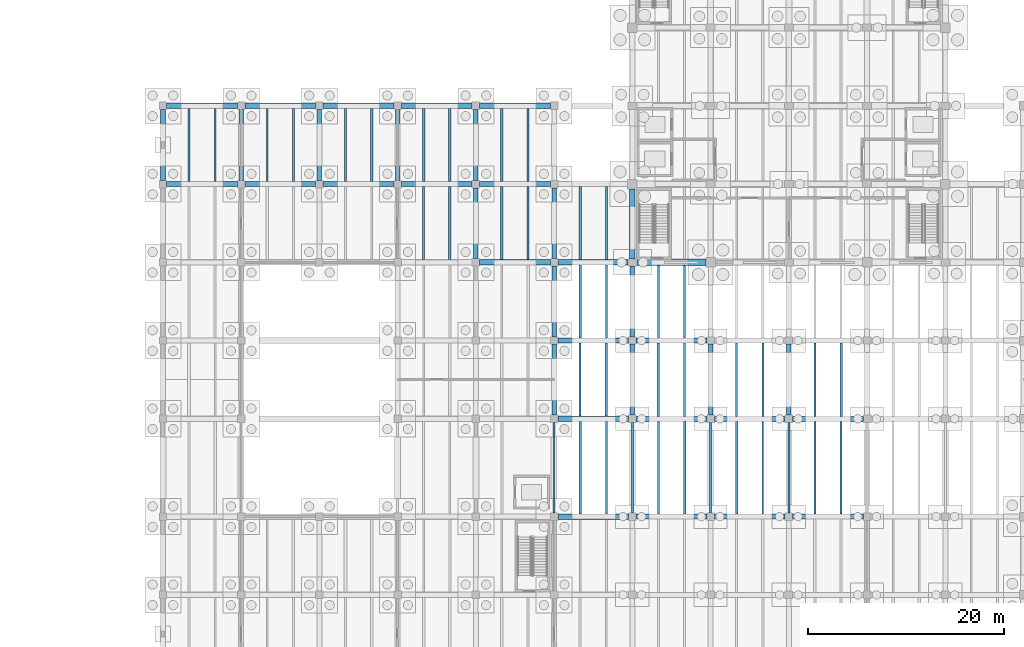
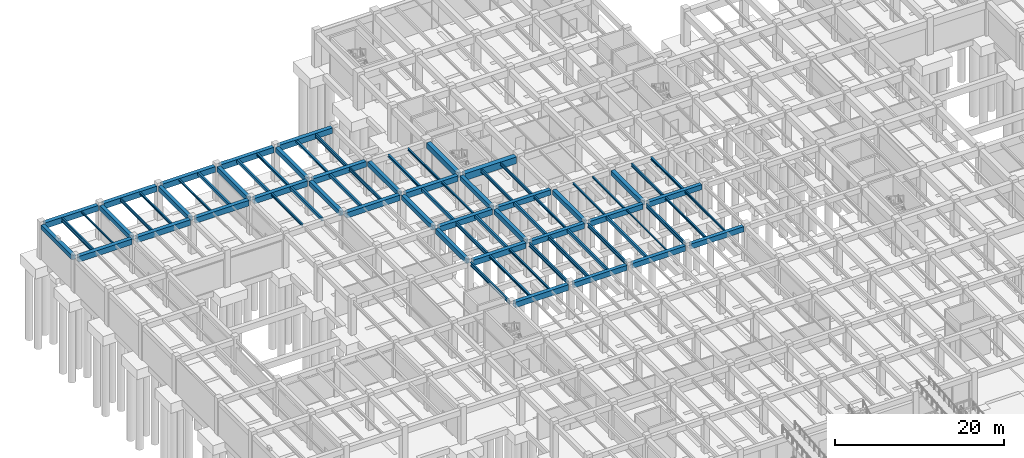
# One storey, part 17 of 44: 77 beams.
"""IFC4 building model written with IfcOpenShell, lengths in metres."""

from ifc_helpers import new_model, si_unit, direction, frame, origin, origin_2d, place, context, subcontext, project, spatial, rectangle, i_section, extrude, material, material_profile, profile_set, type_object, element, save


model = new_model("IFC4")

# Units and contexts
model_context = context("Model", 3, precision=1e-05, world=origin(), true_north=direction((0.0, 1.0)))
body_context = subcontext(model_context, "Body", "Model", "MODEL_VIEW")
ifc_project = project(units=[si_unit("LENGTHUNIT", "METRE"), si_unit("AREAUNIT", "SQUARE_METRE"), si_unit("VOLUMEUNIT", "CUBIC_METRE"), si_unit("PLANEANGLEUNIT", "RADIAN"), si_unit("MASSUNIT", "GRAM", prefix="KILO")], contexts=[model_context])

# Site, building, storey
site_placement = place(None, origin())
site = spatial("IfcSite", under=ifc_project, at=site_placement, CompositionType="ELEMENT")
building_placement = place(site_placement, origin())
building = spatial("IfcBuilding", under=site, at=building_placement, Name="Pecanmere Concourse Central Library", CompositionType="ELEMENT")
storey_placement = place(building_placement, frame((0.0, 0.0, -5.39990234375)))
storey = spatial("IfcBuildingStorey", under=building, at=storey_placement, Name="B1", CompositionType="ELEMENT", Elevation=-5.39990234375)

# Beams
ifc_material_1 = material(Name="Concrete C40/50", Category="concrete")
ifc_material_profile_1 = material_profile(ifc_material_1, rectangle(XDim=0.47998046875, YDim=0.679931640625, at=origin_2d()), Name="RC 480x680")
ifc_profile_set_1 = profile_set([ifc_material_profile_1], Name="Concrete C40/50")
beam_type_1 = type_object("IfcBeamType", Name="GRD_480x680", PredefinedType="USERDEFINED", material=ifc_profile_set_1)
for number, where, z_axis, x_axis, name in (
    (1, (24.0, 98.375, 4.639892578125), (0.0, 1.0, 0.0), (-1.0, 0.0, 0.0), "Primary Girder Y L01-0233"),
    (2, (32.0, 98.375, 4.639892578125), (0.0, 1.0, 0.0), (-1.0, 0.0, 0.0), "Primary Girder Y L01-0244"),
    (3, (40.0, 98.375, 4.639892578125), (0.0, 1.0, 0.0), (-1.0, 0.0, 0.0), "Primary Girder Y L01-0252"),
    (4, (48.0, 98.375, 4.639892578125), (0.0, 1.0, 0.0), (-1.0, 0.0, 0.0), "Primary Girder Y L01-0263"),
    (5, (56.0, 90.375, 4.639892578125), (0.0, 1.0, 0.0), (-1.0, 0.0, 0.0), "Primary Girder Y L01-0272"),
    (6, (56.0, 98.375, 4.639892578125), (0.0, 1.0, 0.0), (-1.0, 0.0, 0.0), "Primary Girder Y L01-0273"),
    (7, (64.0, 74.375, 4.639892578125), (0.0, 1.0, 0.0), (-1.0, 0.0, 0.0), "Primary Girder Y L01-0280"),
    (8, (64.0, 82.375, 4.639892578125), (0.0, 1.0, 0.0), (-1.0, 0.0, 0.0), "Primary Girder Y L01-0281"),
    (9, (64.0, 90.375, 4.639892578125), (0.0, 1.0, 0.0), (-1.0, 0.0, 0.0), "Primary Girder Y L01-0282"),
    (10, (72.0, 74.375, 4.639892578125), (0.0, 1.0, 0.0), (-1.0, 0.0, 0.0), "Primary Girder Y L01-0290"),
):
    element("IfcBeam", number, at=place(storey_placement, frame(where, z_axis=z_axis, x_axis=x_axis)), inside=storey, type_object=beam_type_1, Name=name, ObjectType="GIRDER", PredefinedType="USERDEFINED", context=body_context, shape_type="SweptSolid", body=[
        extrude(rectangle(XDim=0.47998046875, YDim=0.679931640625, at=origin_2d()), origin(), (0.0, 0.0, 1.0), 7.25),
    ])
beam_1_placement = place(storey_placement, frame((72.0, 82.375, 4.639892578125), z_axis=(0.0, 1.0, 0.0), x_axis=(-1.0, 0.0, 0.0)))
element("IfcBeam", 11, at=beam_1_placement, inside=storey, type_object=beam_type_1, Name="Primary Girder Y L01-0291", ObjectType="GIRDER", PredefinedType="USERDEFINED", context=body_context, shape_type="SweptSolid", body=[
    extrude(rectangle(XDim=0.47998046875, YDim=0.679931640625, at=origin_2d()), origin(), (0.0, 0.0, 1.0), 7.264892578125),
])
for number, where, z_axis, x_axis, name in (
    (12, (80.0, 74.375, 4.639892578125), (0.0, 1.0, 0.0), (-1.0, 0.0, 0.0), "Primary Girder Y L01-0302"),
    (13, (88.0, 74.375, 4.639892578125), (0.0, 1.0, 0.0), (-1.0, 0.0, 0.0), "Primary Girder Y L01-0314"),
):
    element("IfcBeam", number, at=place(storey_placement, frame(where, z_axis=z_axis, x_axis=x_axis)), inside=storey, type_object=beam_type_1, Name=name, ObjectType="GIRDER", PredefinedType="USERDEFINED", context=body_context, shape_type="SweptSolid", body=[
        extrude(rectangle(XDim=0.47998046875, YDim=0.679931640625, at=origin_2d()), origin(), (0.0, 0.0, 1.0), 7.25),
    ])
ifc_material_2 = material(Name="Concrete C40/50", Category="concrete")
ifc_material_profile_2 = material_profile(ifc_material_2, rectangle(XDim=0.5, YDim=0.739990234375, at=origin_2d()), Name="RC 500x740")
ifc_profile_set_2 = profile_set([ifc_material_profile_2], Name="Concrete C40/50")
beam_type_2 = type_object("IfcBeamType", Name="GRD_500x740", PredefinedType="USERDEFINED", material=ifc_profile_set_2)
for number, where, z_axis, x_axis, name in (
    (14, (72.375, 64.0, 4.60986328125), (1.0, 0.0, 0.0), (0.0, 1.0, 0.0), "Primary Girder X L01-0123"),
    (15, (80.375, 64.0, 4.60986328125), (1.0, 0.0, 0.0), (0.0, 1.0, 0.0), "Primary Girder X L01-0124"),
    (16, (88.375, 64.0, 4.60986328125), (1.0, 0.0, 0.0), (0.0, 1.0, 0.0), "Primary Girder X L01-0125"),
    (17, (72.375, 74.0, 4.60986328125), (1.0, 0.0, 0.0), (0.0, 1.0, 0.0), "Primary Girder X L01-0137"),
    (18, (80.375, 74.0, 4.60986328125), (1.0, 0.0, 0.0), (0.0, 1.0, 0.0), "Primary Girder X L01-0138"),
    (19, (88.375, 74.0, 4.60986328125), (1.0, 0.0, 0.0), (0.0, 1.0, 0.0), "Primary Girder X L01-0139"),
    (20, (72.375, 82.0, 4.60986328125), (1.0, 0.0, 0.0), (0.0, 1.0, 0.0), "Primary Girder X L01-0149"),
):
    element("IfcBeam", number, at=place(storey_placement, frame(where, z_axis=z_axis, x_axis=x_axis)), inside=storey, type_object=beam_type_2, Name=name, ObjectType="GIRDER", PredefinedType="USERDEFINED", context=body_context, shape_type="SweptSolid", body=[
        extrude(rectangle(XDim=0.5, YDim=0.739990234375, at=origin_2d()), origin(), (0.0, 0.0, 1.0), 7.25),
    ])
ifc_material_3 = material(Name="Concrete C40/50", Category="concrete")
ifc_material_profile_3 = material_profile(ifc_material_3, rectangle(XDim=0.5400390625, YDim=0.800048828125, at=origin_2d()), Name="RC 540x800")
ifc_profile_set_3 = profile_set([ifc_material_profile_3], Name="Concrete C40/50")
beam_type_3 = type_object("IfcBeamType", Name="GRD_540x800", PredefinedType="USERDEFINED", material=ifc_profile_set_3)
for number, where, z_axis, x_axis, name in (
    (21, (64.375, 64.0, 4.579833984375), (1.0, 0.0, 0.0), (0.0, 1.0, 0.0), "Primary Girder X L01-0122"),
    (22, (64.375, 74.0, 4.579833984375), (1.0, 0.0, 0.0), (0.0, 1.0, 0.0), "Primary Girder X L01-0136"),
    (23, (64.375, 82.0, 4.579833984375), (1.0, 0.0, 0.0), (0.0, 1.0, 0.0), "Primary Girder X L01-0148"),
    (24, (56.375, 90.0, 4.579833984375), (1.0, 0.0, 0.0), (0.0, 1.0, 0.0), "Primary Girder X L01-0161"),
):
    element("IfcBeam", number, at=place(storey_placement, frame(where, z_axis=z_axis, x_axis=x_axis)), inside=storey, type_object=beam_type_3, Name=name, ObjectType="GIRDER", PredefinedType="USERDEFINED", context=body_context, shape_type="SweptSolid", body=[
        extrude(rectangle(XDim=0.5400390625, YDim=0.800048828125, at=origin_2d()), origin(), (0.0, 0.0, 1.0), 7.25),
    ])
beam_2_placement = place(storey_placement, frame((64.375, 90.0, 4.579833984375), z_axis=(1.0, 0.0, 0.0), x_axis=(0.0, 1.0, 0.0)))
element("IfcBeam", 25, at=beam_2_placement, inside=storey, type_object=beam_type_3, Name="Primary Girder X L01-0162", ObjectType="GIRDER", PredefinedType="USERDEFINED", context=body_context, shape_type="SweptSolid", body=[
    extrude(rectangle(XDim=0.5400390625, YDim=0.800048828125, at=origin_2d()), origin(), (0.0, 0.0, 1.0), 7.1650390625),
])
for number, where, z_axis, x_axis, name in (
    (26, (24.375, 98.0, 4.579833984375), (1.0, 0.0, 0.0), (0.0, 1.0, 0.0), "Primary Girder X L01-0173"),
    (27, (32.375, 98.0, 4.579833984375), (1.0, 0.0, 0.0), (0.0, 1.0, 0.0), "Primary Girder X L01-0174"),
    (28, (40.375, 98.0, 4.579833984375), (1.0, 0.0, 0.0), (0.0, 1.0, 0.0), "Primary Girder X L01-0175"),
    (29, (48.375, 98.0, 4.579833984375), (1.0, 0.0, 0.0), (0.0, 1.0, 0.0), "Primary Girder X L01-0176"),
    (30, (56.375, 98.0, 4.579833984375), (1.0, 0.0, 0.0), (0.0, 1.0, 0.0), "Primary Girder X L01-0177"),
    (31, (24.375, 106.0, 4.579833984375), (1.0, 0.0, 0.0), (0.0, 1.0, 0.0), "Primary Girder X L01-0189"),
    (32, (32.375, 106.0, 4.579833984375), (1.0, 0.0, 0.0), (0.0, 1.0, 0.0), "Primary Girder X L01-0190"),
    (33, (40.375, 106.0, 4.579833984375), (1.0, 0.0, 0.0), (0.0, 1.0, 0.0), "Primary Girder X L01-0191"),
    (34, (48.375, 106.0, 4.579833984375), (1.0, 0.0, 0.0), (0.0, 1.0, 0.0), "Primary Girder X L01-0192"),
    (35, (56.375, 106.0, 4.579833984375), (1.0, 0.0, 0.0), (0.0, 1.0, 0.0), "Primary Girder X L01-0193"),
):
    element("IfcBeam", number, at=place(storey_placement, frame(where, z_axis=z_axis, x_axis=x_axis)), inside=storey, type_object=beam_type_3, Name=name, ObjectType="GIRDER", PredefinedType="USERDEFINED", context=body_context, shape_type="SweptSolid", body=[
        extrude(rectangle(XDim=0.5400390625, YDim=0.800048828125, at=origin_2d()), origin(), (0.0, 0.0, 1.0), 7.25),
    ])
beam_3_placement = place(storey_placement, frame((72.0, 90.360107421875, 4.579833984375), z_axis=(0.0, 1.0, 0.0), x_axis=(-1.0, 0.0, 0.0)))
element("IfcBeam", 36, at=beam_3_placement, inside=storey, type_object=beam_type_3, Name="Primary Girder Y L01-0292", ObjectType="GIRDER", PredefinedType="USERDEFINED", context=body_context, shape_type="SweptSolid", body=[
    extrude(rectangle(XDim=0.5400390625, YDim=0.800048828125, at=origin_2d()), origin(), (0.0, 0.0, 1.0), 7.14990234375),
])
ifc_material_4 = material(Name="Concrete C40/50", Category="concrete")
ifc_material_profile_4 = material_profile(ifc_material_4, rectangle(XDim=0.659912109375, YDim=0.97998046875, at=origin_2d()), Name="RC 660x980")
ifc_profile_set_4 = profile_set([ifc_material_profile_4], Name="Concrete C40/50")
beam_type_4 = type_object("IfcBeamType", Name="GRD_660x980", PredefinedType="USERDEFINED", material=ifc_profile_set_4)
beam_4_placement = place(storey_placement, frame((72.4599609375, 90.0, 4.489990234375), z_axis=(1.0, 0.0, 0.0), x_axis=(0.0, 1.0, 0.0)))
element("IfcBeam", 37, at=beam_4_placement, inside=storey, type_object=beam_type_4, Name="Primary Girder X L01-0163", ObjectType="GIRDER", PredefinedType="USERDEFINED", context=body_context, shape_type="SweptSolid", body=[
    extrude(rectangle(XDim=0.659912109375, YDim=0.97998046875, at=origin_2d()), origin(), (0.0, 0.0, 1.0), 7.050048828125),
])
ifc_material_5 = material(Name="Concrete C40/50", Category="concrete")
ifc_material_profile_5 = material_profile(ifc_material_5, rectangle(XDim=0.25, YDim=0.449951171875, at=origin_2d()), Name="RC 250x450")
ifc_profile_set_5 = profile_set([ifc_material_profile_5], Name="Concrete C40/50")
beam_type_5 = type_object("IfcBeamType", Name="JST_RC_250x450", PredefinedType="JOIST", material=ifc_profile_set_5)
for number, where, z_axis, x_axis, name in (
    (38, (45.333251953125, 98.27001953125, 4.7548828125), (0.0, 1.0, 0.0), (-1.0, 0.0, 0.0), "Secondary Floor Joist L01-0493"),
    (39, (53.333251953125, 90.27001953125, 4.7548828125), (0.0, 1.0, 0.0), (-1.0, 0.0, 0.0), "Secondary Floor Joist L01-0505"),
    (40, (50.666748046875, 98.27001953125, 4.7548828125), (0.0, 1.0, 0.0), (-1.0, 0.0, 0.0), "Secondary Floor Joist L01-0506"),
    (41, (58.666748046875, 90.27001953125, 4.7548828125), (0.0, 1.0, 0.0), (-1.0, 0.0, 0.0), "Secondary Floor Joist L01-0522"),
    (42, (69.333251953125, 74.27001953125, 4.7548828125), (0.0, 1.0, 0.0), (-1.0, 0.0, 0.0), "Secondary Floor Joist L01-0538"),
    (43, (66.666748046875, 82.27001953125, 4.7548828125), (0.0, 1.0, 0.0), (-1.0, 0.0, 0.0), "Secondary Floor Joist L01-0539"),
):
    element("IfcBeam", number, at=place(storey_placement, frame(where, z_axis=z_axis, x_axis=x_axis)), inside=storey, type_object=beam_type_5, Name=name, PredefinedType="JOIST", context=body_context, shape_type="SweptSolid", body=[
        extrude(rectangle(XDim=0.25, YDim=0.449951171875, at=origin_2d()), origin(), (0.0, 0.0, 1.0), 7.4599609375),
    ])
beam_5_placement = place(storey_placement, frame((77.333251953125, 64.25, 4.7548828125), z_axis=(0.0, 1.0, 0.0), x_axis=(-1.0, 0.0, 0.0)))
element("IfcBeam", 44, at=beam_5_placement, inside=storey, type_object=beam_type_5, Name="Secondary Floor Joist L01-0554", PredefinedType="JOIST", context=body_context, shape_type="SweptSolid", body=[
    extrude(rectangle(XDim=0.25, YDim=0.449951171875, at=origin_2d()), origin(), (0.0, 0.0, 1.0), 9.5),
])
beam_6_placement = place(storey_placement, frame((74.666748046875, 74.25, 4.7548828125), z_axis=(0.0, 1.0, 0.0), x_axis=(-1.0, 0.0, 0.0)))
element("IfcBeam", 45, at=beam_6_placement, inside=storey, type_object=beam_type_5, Name="Secondary Floor Joist L01-0555", PredefinedType="JOIST", context=body_context, shape_type="SweptSolid", body=[
    extrude(rectangle(XDim=0.25, YDim=0.449951171875, at=origin_2d()), origin(), (0.0, 0.0, 1.0), 7.5),
])
beam_7_placement = place(storey_placement, frame((82.666748046875, 64.25, 4.7548828125), z_axis=(0.0, 1.0, 0.0), x_axis=(-1.0, 0.0, 0.0)))
element("IfcBeam", 46, at=beam_7_placement, inside=storey, type_object=beam_type_5, Name="Secondary Floor Joist L01-0574", PredefinedType="JOIST", context=body_context, shape_type="SweptSolid", body=[
    extrude(rectangle(XDim=0.25, YDim=0.449951171875, at=origin_2d()), origin(), (0.0, 0.0, 1.0), 9.5),
])
ifc_material_6 = material(Name="Structural steel ASTM A992 Grade 50", Category="steel")
ifc_material_profile_6 = material_profile(ifc_material_6, i_section(OverallWidth=0.152099609375, OverallDepth=0.152099609375, WebThickness=0.005859375, FlangeThickness=0.006591796875, at=origin_2d()), Name="W150x22.5")
ifc_profile_set_6 = profile_set([ifc_material_profile_6], Name="Structural steel ASTM A992 Grade 50")
beam_type_6 = type_object("IfcBeamType", Name="SBM_W150x22", PredefinedType="LINTEL", material=ifc_profile_set_6)
beam_8_placement = place(storey_placement, frame((85.333251953125, 64.25, 4.90380859375), z_axis=(0.0, 1.0, 0.0), x_axis=(-1.0, 0.0, 0.0)))
element("IfcBeam", 47, at=beam_8_placement, inside=storey, type_object=beam_type_6, Name="Secondary Floor Joist L01-0575", PredefinedType="LINTEL", context=body_context, shape_type="SweptSolid", body=[
    extrude(i_section(OverallWidth=0.152099609375, OverallDepth=0.152099609375, WebThickness=0.005859375, FlangeThickness=0.006591796875, at=origin_2d()), origin(), (0.0, 0.0, 1.0), 9.5),
])
ifc_material_7 = material(Name="Structural steel ASTM A992 Grade 50", Category="steel")
ifc_material_profile_7 = material_profile(ifc_material_7, i_section(OverallWidth=0.1650390625, OverallDepth=0.200927734375, WebThickness=0.006103515625, FlangeThickness=0.01025390625, at=origin_2d()), Name="W200x35.9")
ifc_profile_set_7 = profile_set([ifc_material_profile_7], Name="Structural steel ASTM A992 Grade 50")
beam_type_7 = type_object("IfcBeamType", Name="SBM_W200x36", PredefinedType="LINTEL", material=ifc_profile_set_7)
beam_9_placement = place(storey_placement, frame((29.333251953125, 98.27001953125, 4.87939453125), z_axis=(0.0, 1.0, 0.0), x_axis=(-1.0, 0.0, 0.0)))
element("IfcBeam", 48, at=beam_9_placement, inside=storey, type_object=beam_type_7, Name="Secondary Floor Joist L01-0462", PredefinedType="LINTEL", context=body_context, shape_type="SweptSolid", body=[
    extrude(i_section(OverallWidth=0.1650390625, OverallDepth=0.200927734375, WebThickness=0.006103515625, FlangeThickness=0.01025390625, at=origin_2d()), origin(), (0.0, 0.0, 1.0), 7.4599609375),
])
ifc_material_8 = material(Name="Structural steel ASTM A992 Grade 50", Category="steel")
ifc_material_profile_8 = material_profile(ifc_material_8, i_section(OverallWidth=0.2041015625, OverallDepth=0.2060546875, WebThickness=0.0078125, FlangeThickness=0.0126953125, at=origin_2d()), Name="W200x52")
ifc_profile_set_8 = profile_set([ifc_material_profile_8], Name="Structural steel ASTM A992 Grade 50")
beam_type_8 = type_object("IfcBeamType", Name="SBM_W200x52", PredefinedType="JOIST", material=ifc_profile_set_8)
beam_10_placement = place(storey_placement, frame((85.333251953125, 74.25, 4.876953125), z_axis=(0.0, 1.0, 0.0), x_axis=(-1.0, 0.0, 0.0)))
element("IfcBeam", 49, at=beam_10_placement, inside=storey, type_object=beam_type_8, Name="Secondary Floor Joist L01-0577", PredefinedType="JOIST", context=body_context, shape_type="SweptSolid", body=[
    extrude(i_section(OverallWidth=0.2041015625, OverallDepth=0.2060546875, WebThickness=0.0078125, FlangeThickness=0.0126953125, at=origin_2d()), origin(), (0.0, 0.0, 1.0), 7.5),
])
ifc_material_9 = material(Name="Structural steel ASTM A992 Grade 50", Category="steel")
ifc_material_profile_9 = material_profile(ifc_material_9, i_section(OverallWidth=0.201904296875, OverallDepth=0.2470703125, WebThickness=0.00732421875, FlangeThickness=0.010986328125, at=origin_2d()), Name="W250x49.1")
ifc_profile_set_9 = profile_set([ifc_material_profile_9], Name="Structural steel ASTM A992 Grade 50")
beam_type_9 = type_object("IfcBeamType", Name="SBM_W250x49", PredefinedType="JOIST", material=ifc_profile_set_9)
for number, where, z_axis, x_axis, name in (
    (50, (42.666748046875, 98.27001953125, 4.8564453125), (0.0, 1.0, 0.0), (-1.0, 0.0, 0.0), "Secondary Floor Joist L01-0492"),
    (51, (69.333251953125, 82.27001953125, 4.8564453125), (0.0, 1.0, 0.0), (-1.0, 0.0, 0.0), "Secondary Floor Joist L01-0540"),
):
    element("IfcBeam", number, at=place(storey_placement, frame(where, z_axis=z_axis, x_axis=x_axis)), inside=storey, type_object=beam_type_9, Name=name, PredefinedType="JOIST", context=body_context, shape_type="SweptSolid", body=[
        extrude(i_section(OverallWidth=0.201904296875, OverallDepth=0.2470703125, WebThickness=0.00732421875, FlangeThickness=0.010986328125, at=origin_2d()), origin(), (0.0, 0.0, 1.0), 7.4599609375),
    ])
beam_11_placement = place(storey_placement, frame((82.666748046875, 74.25, 4.8564453125), z_axis=(0.0, 1.0, 0.0), x_axis=(-1.0, 0.0, 0.0)))
element("IfcBeam", 52, at=beam_11_placement, inside=storey, type_object=beam_type_9, Name="Secondary Floor Joist L01-0576", PredefinedType="JOIST", context=body_context, shape_type="SweptSolid", body=[
    extrude(i_section(OverallWidth=0.201904296875, OverallDepth=0.2470703125, WebThickness=0.00732421875, FlangeThickness=0.010986328125, at=origin_2d()), origin(), (0.0, 0.0, 1.0), 7.5),
])
ifc_material_10 = material(Name="Structural steel ASTM A992 Grade 50", Category="steel")
ifc_material_profile_10 = material_profile(ifc_material_10, i_section(OverallWidth=0.25390625, OverallDepth=0.2529296875, WebThickness=0.008544921875, FlangeThickness=0.01416015625, at=origin_2d()), Name="W250x73")
ifc_profile_set_10 = profile_set([ifc_material_profile_10], Name="Structural steel ASTM A992 Grade 50")
beam_type_10 = type_object("IfcBeamType", Name="SBM_W250x73", PredefinedType="BEAM", material=ifc_profile_set_10)
beam_12_placement = place(storey_placement, frame((58.666748046875, 98.27001953125, 4.853515625), z_axis=(0.0, 1.0, 0.0), x_axis=(-1.0, 0.0, 0.0)))
element("IfcBeam", 53, at=beam_12_placement, inside=storey, type_object=beam_type_10, Name="Secondary Floor Joist L01-0524", PredefinedType="BEAM", context=body_context, shape_type="SweptSolid", body=[
    extrude(i_section(OverallWidth=0.25390625, OverallDepth=0.2529296875, WebThickness=0.008544921875, FlangeThickness=0.01416015625, at=origin_2d()), origin(), (0.0, 0.0, 1.0), 7.4599609375),
])
ifc_material_11 = material(Name="Structural steel ASTM A992 Grade 50", Category="steel")
ifc_material_profile_11 = material_profile(ifc_material_11, i_section(OverallWidth=0.1669921875, OverallDepth=0.31689453125, WebThickness=0.007568359375, FlangeThickness=0.01318359375, at=origin_2d()), Name="W310x52")
ifc_profile_set_11 = profile_set([ifc_material_profile_11], Name="Structural steel ASTM A992 Grade 50")
beam_type_11 = type_object("IfcBeamType", Name="SBM_W310x52", PredefinedType="JOIST", material=ifc_profile_set_11)
beam_13_placement = place(storey_placement, frame((93.333251953125, 64.25, 4.8212890625), z_axis=(0.0, 1.0, 0.0), x_axis=(-1.0, 0.0, 0.0)))
element("IfcBeam", 54, at=beam_13_placement, inside=storey, type_object=beam_type_11, Name="Secondary Floor Joist L01-0599", PredefinedType="JOIST", context=body_context, shape_type="SweptSolid", body=[
    extrude(i_section(OverallWidth=0.1669921875, OverallDepth=0.31689453125, WebThickness=0.007568359375, FlangeThickness=0.01318359375, at=origin_2d()), origin(), (0.0, 0.0, 1.0), 9.5),
])
ifc_material_12 = material(Name="Structural steel ASTM A992 Grade 50", Category="steel")
ifc_material_profile_12 = material_profile(ifc_material_12, i_section(OverallWidth=0.205078125, OverallDepth=0.31005859375, WebThickness=0.009521484375, FlangeThickness=0.016357421875, at=origin_2d()), Name="W310x74")
ifc_profile_set_12 = profile_set([ifc_material_profile_12], Name="Structural steel ASTM A992 Grade 50")
beam_type_12 = type_object("IfcBeamType", Name="SBM_W310x74", PredefinedType="BEAM", material=ifc_profile_set_12)
beam_14_placement = place(storey_placement, frame((69.333251953125, 64.27001953125, 4.824951171875), z_axis=(0.0, 1.0, 0.0), x_axis=(-1.0, 0.0, 0.0)))
element("IfcBeam", 55, at=beam_14_placement, inside=storey, type_object=beam_type_12, Name="Secondary Floor Joist L01-0536", PredefinedType="BEAM", context=body_context, shape_type="SweptSolid", body=[
    extrude(i_section(OverallWidth=0.205078125, OverallDepth=0.31005859375, WebThickness=0.009521484375, FlangeThickness=0.016357421875, at=origin_2d()), origin(), (0.0, 0.0, 1.0), 9.4599609375),
])
beam_15_placement = place(storey_placement, frame((69.333251953125, 90.27001953125, 4.824951171875), z_axis=(0.0, 1.0, 0.0), x_axis=(-1.0, 0.0, 0.0)))
element("IfcBeam", 56, at=beam_15_placement, inside=storey, type_object=beam_type_12, Name="Secondary Floor Joist L01-0542", PredefinedType="BEAM", context=body_context, shape_type="SweptSolid", body=[
    extrude(i_section(OverallWidth=0.205078125, OverallDepth=0.31005859375, WebThickness=0.009521484375, FlangeThickness=0.016357421875, at=origin_2d()), origin(), (0.0, 0.0, 1.0), 7.4599609375),
])
ifc_material_13 = material(Name="Structural steel ASTM A992 Grade 50", Category="steel")
ifc_material_profile_13 = material_profile(ifc_material_13, i_section(OverallWidth=0.202880859375, OverallDepth=0.346923828125, WebThickness=0.0078125, FlangeThickness=0.013427734375, at=origin_2d()), Name="W360x64")
ifc_profile_set_13 = profile_set([ifc_material_profile_13], Name="Structural steel ASTM A992 Grade 50")
beam_type_13 = type_object("IfcBeamType", Name="SBM_W360x64", PredefinedType="JOIST", material=ifc_profile_set_13)
for number, where, z_axis, x_axis, name in (
    (57, (37.333251953125, 98.27001953125, 4.806396484375), (0.0, 1.0, 0.0), (-1.0, 0.0, 0.0), "Secondary Floor Joist L01-0478"),
    (58, (50.666748046875, 90.27001953125, 4.806396484375), (0.0, 1.0, 0.0), (-1.0, 0.0, 0.0), "Secondary Floor Joist L01-0504"),
):
    element("IfcBeam", number, at=place(storey_placement, frame(where, z_axis=z_axis, x_axis=x_axis)), inside=storey, type_object=beam_type_13, Name=name, PredefinedType="JOIST", context=body_context, shape_type="SweptSolid", body=[
        extrude(i_section(OverallWidth=0.202880859375, OverallDepth=0.346923828125, WebThickness=0.0078125, FlangeThickness=0.013427734375, at=origin_2d()), origin(), (0.0, 0.0, 1.0), 7.4599609375),
    ])
beam_16_placement = place(storey_placement, frame((77.333251953125, 74.25, 4.806396484375), z_axis=(0.0, 1.0, 0.0), x_axis=(-1.0, 0.0, 0.0)))
element("IfcBeam", 59, at=beam_16_placement, inside=storey, type_object=beam_type_13, Name="Secondary Floor Joist L01-0556", PredefinedType="JOIST", context=body_context, shape_type="SweptSolid", body=[
    extrude(i_section(OverallWidth=0.202880859375, OverallDepth=0.346923828125, WebThickness=0.0078125, FlangeThickness=0.013427734375, at=origin_2d()), origin(), (0.0, 0.0, 1.0), 7.5),
])
beam_17_placement = place(storey_placement, frame((90.666748046875, 64.25, 4.806396484375), z_axis=(0.0, 1.0, 0.0), x_axis=(-1.0, 0.0, 0.0)))
element("IfcBeam", 60, at=beam_17_placement, inside=storey, type_object=beam_type_13, Name="Secondary Floor Joist L01-0598", PredefinedType="JOIST", context=body_context, shape_type="SweptSolid", body=[
    extrude(i_section(OverallWidth=0.202880859375, OverallDepth=0.346923828125, WebThickness=0.0078125, FlangeThickness=0.013427734375, at=origin_2d()), origin(), (0.0, 0.0, 1.0), 9.5),
])
ifc_material_14 = material(Name="Structural steel ASTM A992 Grade 50", Category="steel")
ifc_material_profile_14 = material_profile(ifc_material_14, i_section(OverallWidth=0.25390625, OverallDepth=0.35302734375, WebThickness=0.009521484375, FlangeThickness=0.016357421875, at=origin_2d()), Name="W360x91")
ifc_profile_set_14 = profile_set([ifc_material_profile_14], Name="Structural steel ASTM A992 Grade 50")
beam_type_14 = type_object("IfcBeamType", Name="SBM_W360x91", PredefinedType="BEAM", material=ifc_profile_set_14)
beam_18_placement = place(storey_placement, frame((53.333251953125, 98.27001953125, 4.803466796875), z_axis=(0.0, 1.0, 0.0), x_axis=(-1.0, 0.0, 0.0)))
element("IfcBeam", 61, at=beam_18_placement, inside=storey, type_object=beam_type_14, Name="Secondary Floor Joist L01-0507", PredefinedType="BEAM", context=body_context, shape_type="SweptSolid", body=[
    extrude(i_section(OverallWidth=0.25390625, OverallDepth=0.35302734375, WebThickness=0.009521484375, FlangeThickness=0.016357421875, at=origin_2d()), origin(), (0.0, 0.0, 1.0), 7.4599609375),
])
beam_19_placement = place(storey_placement, frame((66.666748046875, 64.27001953125, 4.803466796875), z_axis=(0.0, 1.0, 0.0), x_axis=(-1.0, 0.0, 0.0)))
element("IfcBeam", 62, at=beam_19_placement, inside=storey, type_object=beam_type_14, Name="Secondary Floor Joist L01-0535", PredefinedType="BEAM", context=body_context, shape_type="SweptSolid", body=[
    extrude(i_section(OverallWidth=0.25390625, OverallDepth=0.35302734375, WebThickness=0.009521484375, FlangeThickness=0.016357421875, at=origin_2d()), origin(), (0.0, 0.0, 1.0), 9.4599609375),
])
beam_20_placement = place(storey_placement, frame((66.666748046875, 90.27001953125, 4.803466796875), z_axis=(0.0, 1.0, 0.0), x_axis=(-1.0, 0.0, 0.0)))
element("IfcBeam", 63, at=beam_20_placement, inside=storey, type_object=beam_type_14, Name="Secondary Floor Joist L01-0541", PredefinedType="BEAM", context=body_context, shape_type="SweptSolid", body=[
    extrude(i_section(OverallWidth=0.25390625, OverallDepth=0.35302734375, WebThickness=0.009521484375, FlangeThickness=0.016357421875, at=origin_2d()), origin(), (0.0, 0.0, 1.0), 7.4599609375),
])
beam_21_placement = place(storey_placement, frame((93.333251953125, 74.25, 4.803466796875), z_axis=(0.0, 1.0, 0.0), x_axis=(-1.0, 0.0, 0.0)))
element("IfcBeam", 64, at=beam_21_placement, inside=storey, type_object=beam_type_14, Name="Secondary Floor Joist L01-0601", PredefinedType="BEAM", context=body_context, shape_type="SweptSolid", body=[
    extrude(i_section(OverallWidth=0.25390625, OverallDepth=0.35302734375, WebThickness=0.009521484375, FlangeThickness=0.016357421875, at=origin_2d()), origin(), (0.0, 0.0, 1.0), 7.5),
])
ifc_material_15 = material(Name="Structural steel ASTM A992 Grade 50", Category="steel")
ifc_material_profile_15 = material_profile(ifc_material_15, i_section(OverallWidth=0.177978515625, OverallDepth=0.406982421875, WebThickness=0.0078125, FlangeThickness=0.0126953125, at=origin_2d()), Name="W410x60")
ifc_profile_set_15 = profile_set([ifc_material_profile_15], Name="Structural steel ASTM A992 Grade 50")
beam_type_15 = type_object("IfcBeamType", Name="SBM_W410x60", PredefinedType="JOIST", material=ifc_profile_set_15)
beam_22_placement = place(storey_placement, frame((34.666748046875, 98.27001953125, 4.7763671875), z_axis=(0.0, 1.0, 0.0), x_axis=(-1.0, 0.0, 0.0)))
element("IfcBeam", 65, at=beam_22_placement, inside=storey, type_object=beam_type_15, Name="Secondary Floor Joist L01-0477", PredefinedType="JOIST", context=body_context, shape_type="SweptSolid", body=[
    extrude(i_section(OverallWidth=0.177978515625, OverallDepth=0.406982421875, WebThickness=0.0078125, FlangeThickness=0.0126953125, at=origin_2d()), origin(), (0.0, 0.0, 1.0), 7.4599609375),
])
ifc_material_16 = material(Name="Structural steel ASTM A992 Grade 50", Category="steel")
ifc_material_profile_16 = material_profile(ifc_material_16, i_section(OverallWidth=0.180908203125, OverallDepth=0.4169921875, WebThickness=0.010986328125, FlangeThickness=0.018310546875, at=origin_2d()), Name="W410x85")
ifc_profile_set_16 = profile_set([ifc_material_profile_16], Name="Structural steel ASTM A992 Grade 50")
beam_type_16 = type_object("IfcBeamType", Name="SBM_W410x85", PredefinedType="BEAM", material=ifc_profile_set_16)
beam_23_placement = place(storey_placement, frame((77.333251953125, 82.25, 4.771484375), z_axis=(0.0, 1.0, 0.0), x_axis=(-1.0, 0.0, 0.0)))
element("IfcBeam", 66, at=beam_23_placement, inside=storey, type_object=beam_type_16, Name="Secondary Floor Joist L01-0558", PredefinedType="BEAM", context=body_context, shape_type="SweptSolid", body=[
    extrude(i_section(OverallWidth=0.180908203125, OverallDepth=0.4169921875, WebThickness=0.010986328125, FlangeThickness=0.018310546875, at=origin_2d()), origin(), (0.0, 0.0, 1.0), 7.419921875),
])
beam_24_placement = place(storey_placement, frame((90.666748046875, 74.25, 4.771484375), z_axis=(0.0, 1.0, 0.0), x_axis=(-1.0, 0.0, 0.0)))
element("IfcBeam", 67, at=beam_24_placement, inside=storey, type_object=beam_type_16, Name="Secondary Floor Joist L01-0600", PredefinedType="BEAM", context=body_context, shape_type="SweptSolid", body=[
    extrude(i_section(OverallWidth=0.180908203125, OverallDepth=0.4169921875, WebThickness=0.010986328125, FlangeThickness=0.018310546875, at=origin_2d()), origin(), (0.0, 0.0, 1.0), 7.5),
])
ifc_material_17 = material(Name="Structural steel ASTM A992 Grade 50", Category="steel")
ifc_material_profile_17 = material_profile(ifc_material_17, i_section(OverallWidth=0.18994140625, OverallDepth=0.45703125, WebThickness=0.009033203125, FlangeThickness=0.014404296875, at=origin_2d()), Name="W460x74")
ifc_profile_set_17 = profile_set([ifc_material_profile_17], Name="Structural steel ASTM A992 Grade 50")
beam_type_17 = type_object("IfcBeamType", Name="SBM_W460x74", PredefinedType="BEAM", material=ifc_profile_set_17)
beam_25_placement = place(storey_placement, frame((61.333251953125, 90.27001953125, 4.75146484375), z_axis=(0.0, 1.0, 0.0), x_axis=(-1.0, 0.0, 0.0)))
element("IfcBeam", 68, at=beam_25_placement, inside=storey, type_object=beam_type_17, Name="Secondary Floor Joist L01-0523", PredefinedType="BEAM", context=body_context, shape_type="SweptSolid", body=[
    extrude(i_section(OverallWidth=0.18994140625, OverallDepth=0.45703125, WebThickness=0.009033203125, FlangeThickness=0.014404296875, at=origin_2d()), origin(), (0.0, 0.0, 1.0), 7.4599609375),
])
beam_26_placement = place(storey_placement, frame((74.666748046875, 82.25, 4.75146484375), z_axis=(0.0, 1.0, 0.0), x_axis=(-1.0, 0.0, 0.0)))
element("IfcBeam", 69, at=beam_26_placement, inside=storey, type_object=beam_type_17, Name="Secondary Floor Joist L01-0557", PredefinedType="BEAM", context=body_context, shape_type="SweptSolid", body=[
    extrude(i_section(OverallWidth=0.18994140625, OverallDepth=0.45703125, WebThickness=0.009033203125, FlangeThickness=0.014404296875, at=origin_2d()), origin(), (0.0, 0.0, 1.0), 7.419921875),
])
ifc_material_18 = material(Name="Structural steel ASTM A992 Grade 50", Category="steel")
ifc_material_profile_18 = material_profile(ifc_material_18, i_section(OverallWidth=0.2109375, OverallDepth=0.5390625, WebThickness=0.01171875, FlangeThickness=0.018798828125, at=origin_2d()), Name="W530x109")
ifc_profile_set_18 = profile_set([ifc_material_profile_18], Name="Structural steel ASTM A992 Grade 50")
beam_type_18 = type_object("IfcBeamType", Name="SBM_W530x109", PredefinedType="USERDEFINED", material=ifc_profile_set_18)
for number, where, z_axis, x_axis, name in (
    (70, (64.0, 64.375, 4.71044921875), (0.0, 1.0, 0.0), (-1.0, 0.0, 0.0), "Primary Girder Y L01-0279"),
    (71, (72.0, 64.375, 4.71044921875), (0.0, 1.0, 0.0), (-1.0, 0.0, 0.0), "Primary Girder Y L01-0289"),
    (72, (80.0, 64.375, 4.71044921875), (0.0, 1.0, 0.0), (-1.0, 0.0, 0.0), "Primary Girder Y L01-0301"),
    (73, (88.0, 64.375, 4.71044921875), (0.0, 1.0, 0.0), (-1.0, 0.0, 0.0), "Primary Girder Y L01-0313"),
):
    element("IfcBeam", number, at=place(storey_placement, frame(where, z_axis=z_axis, x_axis=x_axis)), inside=storey, type_object=beam_type_18, Name=name, ObjectType="GIRDER", PredefinedType="USERDEFINED", context=body_context, shape_type="SweptSolid", body=[
        extrude(i_section(OverallWidth=0.2109375, OverallDepth=0.5390625, WebThickness=0.01171875, FlangeThickness=0.018798828125, at=origin_2d()), origin(), (0.0, 0.0, 1.0), 9.25),
    ])
for number, where, z_axis, x_axis, name in (
    (74, (26.666748046875, 98.27001953125, 4.71044921875), (0.0, 1.0, 0.0), (-1.0, 0.0, 0.0), "Secondary Floor Joist L01-0461"),
    (75, (66.666748046875, 74.27001953125, 4.71044921875), (0.0, 1.0, 0.0), (-1.0, 0.0, 0.0), "Secondary Floor Joist L01-0537"),
):
    element("IfcBeam", number, at=place(storey_placement, frame(where, z_axis=z_axis, x_axis=x_axis)), inside=storey, type_object=beam_type_18, Name=name, ObjectType="GIRDER", PredefinedType="USERDEFINED", context=body_context, shape_type="SweptSolid", body=[
        extrude(i_section(OverallWidth=0.2109375, OverallDepth=0.5390625, WebThickness=0.01171875, FlangeThickness=0.018798828125, at=origin_2d()), origin(), (0.0, 0.0, 1.0), 7.4599609375),
    ])
ifc_material_19 = material(Name="Structural steel ASTM A992 Grade 50", Category="steel")
ifc_material_profile_19 = material_profile(ifc_material_19, i_section(OverallWidth=0.208984375, OverallDepth=0.532958984375, WebThickness=0.01025390625, FlangeThickness=0.015625, at=origin_2d()), Name="W530x92")
ifc_profile_set_19 = profile_set([ifc_material_profile_19], Name="Structural steel ASTM A992 Grade 50")
beam_type_19 = type_object("IfcBeamType", Name="SBM_W530x92", PredefinedType="BEAM", material=ifc_profile_set_19)
beam_27_placement = place(storey_placement, frame((61.333251953125, 98.27001953125, 4.71337890625), z_axis=(0.0, 1.0, 0.0), x_axis=(-1.0, 0.0, 0.0)))
element("IfcBeam", 76, at=beam_27_placement, inside=storey, type_object=beam_type_19, Name="Secondary Floor Joist L01-0525", PredefinedType="BEAM", context=body_context, shape_type="SweptSolid", body=[
    extrude(i_section(OverallWidth=0.208984375, OverallDepth=0.532958984375, WebThickness=0.01025390625, FlangeThickness=0.015625, at=origin_2d()), origin(), (0.0, 0.0, 1.0), 7.4599609375),
])
beam_28_placement = place(storey_placement, frame((74.666748046875, 64.25, 4.71337890625), z_axis=(0.0, 1.0, 0.0), x_axis=(-1.0, 0.0, 0.0)))
element("IfcBeam", 77, at=beam_28_placement, inside=storey, type_object=beam_type_19, Name="Secondary Floor Joist L01-0553", PredefinedType="BEAM", context=body_context, shape_type="SweptSolid", body=[
    extrude(i_section(OverallWidth=0.208984375, OverallDepth=0.532958984375, WebThickness=0.01025390625, FlangeThickness=0.015625, at=origin_2d()), origin(), (0.0, 0.0, 1.0), 9.5),
])

save(model, "model.ifc")
